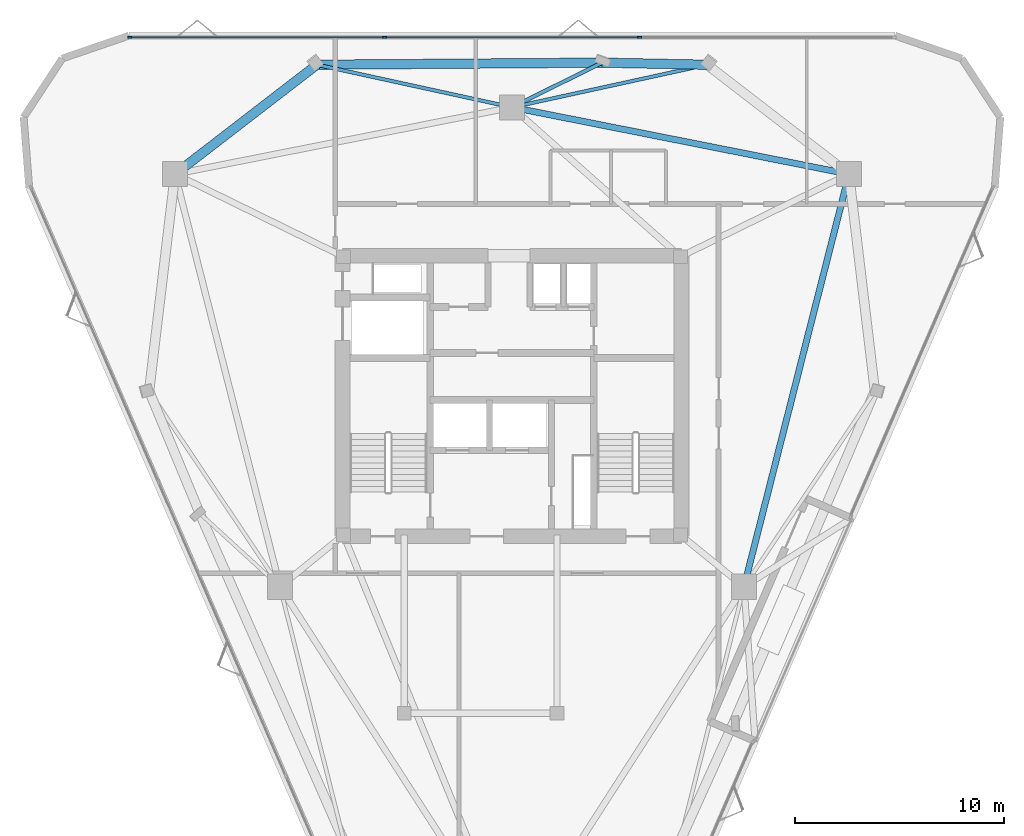
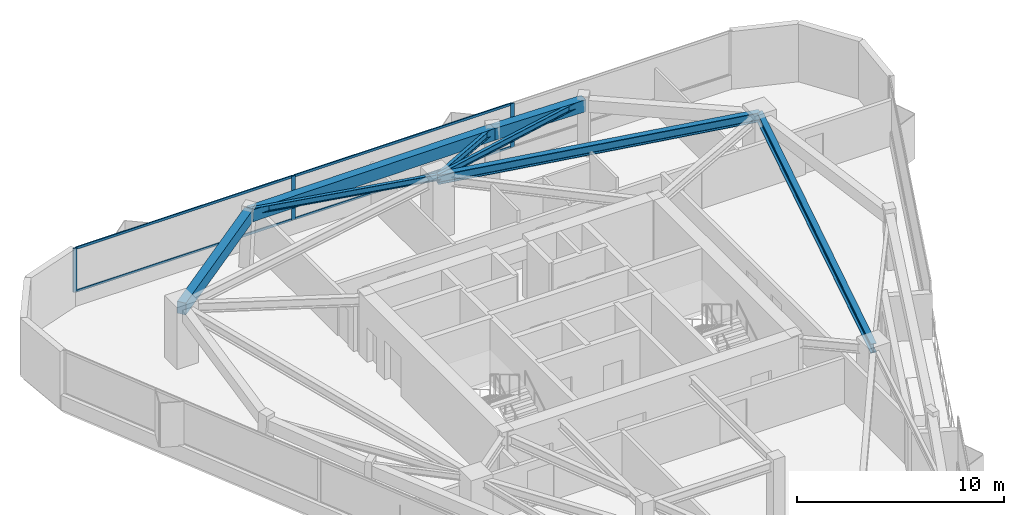
# One storey, part 5 of 10: 8 beams, 7 members, 1 element without a shape of its own.
"""IFC4 building model written with IfcOpenShell, lengths in metres."""

from ifc_helpers import new_model, si_unit, direction, frame, origin, origin_2d, place, context, subcontext, project, spatial, rectangle, i_section, extrude, material, layer, layer_set, material_profile, profile_set, type_object, element, aggregate, save


model = new_model("IFC4")

# Units and contexts
model_context = context("Model", 3, precision=1e-05, world=origin(), true_north=direction((0.0, 1.0)))
body_context = subcontext(model_context, "Body", "Model", "MODEL_VIEW")
ifc_project = project(units=[si_unit("LENGTHUNIT", "METRE"), si_unit("AREAUNIT", "SQUARE_METRE"), si_unit("VOLUMEUNIT", "CUBIC_METRE"), si_unit("PLANEANGLEUNIT", "RADIAN"), si_unit("MASSUNIT", "GRAM", prefix="KILO")], contexts=[model_context])

# Site, building, storey
site_placement = place(None, origin())
site = spatial("IfcSite", under=ifc_project, at=site_placement, CompositionType="ELEMENT")
building_placement = place(site_placement, origin())
building = spatial("IfcBuilding", under=site, at=building_placement, Name="Talyreon Biosciences Tower", CompositionType="ELEMENT")
storey_placement = place(building_placement, frame((0.0, 0.0, 253.5)))
storey = spatial("IfcBuildingStorey", under=building, at=storey_placement, Name="L67", CompositionType="ELEMENT", Elevation=253.5)

# Curtain wall, members
ifc_material_1 = material(Name="Thermally broken aluminium and low-E glazing", Category="aluminium")
ifc_layer = layer(ifc_material_1, 0.205078125)
ifc_layer_set = layer_set([ifc_layer], Name="Thermally broken aluminium and low-E glazing")
curtain_wall_type = type_object("IfcCurtainWallType", Name="CurtainWall_SkyGardenLoggia", PredefinedType="NOTDEFINED", material=ifc_layer_set)
curtain_wall_placement = place(storey_placement, origin())
curtain_wall = element("IfcCurtainWall", 1, at=curtain_wall_placement, inside=storey, type_object=curtain_wall_type, Name="L67 Unitised Curtain Wall FCW-L67-03", PredefinedType="NOTDEFINED")
ifc_material_2 = material(Name="Anodised thermally broken aluminium", Category="aluminium")
ifc_material_profile_1 = material_profile(ifc_material_2, rectangle(XDim=0.074951171875, YDim=0.2099609375, at=origin_2d()), Name="ALUM MULLION 75x210")
ifc_profile_set_1 = profile_set([ifc_material_profile_1], Name="Anodised thermally broken aluminium")
member_type_1 = type_object("IfcMemberType", Name="CWMullion_75x210", PredefinedType="MULLION", material=ifc_profile_set_1)
member_1_placement = place(storey_placement, frame((47.733642578125, 85.1376953125, 0.81005859375), z_axis=(0.0, 0.0, 1.0), x_axis=(0.0, 1.0, 0.0)))
member_1 = element("IfcMember", 2, at=member_1_placement, type_object=member_type_1, Name="CW7 mullion 1", PredefinedType="MULLION", context=body_context, shape_type="SweptSolid", body=[
    extrude(rectangle(XDim=0.074951171875, YDim=0.2099609375, at=origin_2d()), origin(), (0.0, 0.0, 1.0), 2.58984375),
])
member_2_placement = place(storey_placement, frame((59.898681640625, 85.1376953125, 0.81005859375), z_axis=(0.0, 0.0, 1.0), x_axis=(0.0, 1.0, 0.0)))
member_2 = element("IfcMember", 3, at=member_2_placement, type_object=member_type_1, Name="CW7 mullion 2", PredefinedType="MULLION", context=body_context, shape_type="SweptSolid", body=[
    extrude(rectangle(XDim=0.074951171875, YDim=0.2099609375, at=origin_2d()), origin(), (0.0, 0.0, 1.0), 2.58984375),
])
member_3_placement = place(storey_placement, frame((72.101318359375, 85.1376953125, 0.81005859375), z_axis=(0.0, 0.0, 1.0), x_axis=(0.0, 1.0, 0.0)))
member_3 = element("IfcMember", 4, at=member_3_placement, type_object=member_type_1, Name="CW7 mullion 3", PredefinedType="MULLION", context=body_context, shape_type="SweptSolid", body=[
    extrude(rectangle(XDim=0.074951171875, YDim=0.2099609375, at=origin_2d()), origin(), (0.0, 0.0, 1.0), 2.58984375),
])
ifc_material_profile_2 = material_profile(ifc_material_2, rectangle(XDim=0.06494140625, YDim=0.139892578125, at=origin_2d()), Name="ALUM TRANSOM 65x140")
ifc_profile_set_2 = profile_set([ifc_material_profile_2], Name="Anodised thermally broken aluminium")
member_type_2 = type_object("IfcMemberType", Name="CWTransom_65x140", PredefinedType="USERDEFINED", material=ifc_profile_set_2)
member_4_placement = place(storey_placement, frame((47.771240234375, 85.1376953125, 0.842529296875), z_axis=(1.0, 0.0, 0.0), x_axis=(0.0, 1.0, 0.0)))
member_4 = element("IfcMember", 5, at=member_4_placement, type_object=member_type_2, Name="CW7 transom 1.1", ObjectType="TRANSOM", PredefinedType="USERDEFINED", context=body_context, shape_type="SweptSolid", body=[
    extrude(rectangle(XDim=0.06494140625, YDim=0.139892578125, at=origin_2d()), origin(), (0.0, 0.0, 1.0), 12.090087890625),
])
member_5_placement = place(storey_placement, frame((47.771240234375, 85.1376953125, 3.367431640625), z_axis=(1.0, 0.0, 0.0), x_axis=(0.0, 1.0, 0.0)))
member_5 = element("IfcMember", 6, at=member_5_placement, type_object=member_type_2, Name="CW7 transom 1.2", ObjectType="TRANSOM", PredefinedType="USERDEFINED", context=body_context, shape_type="SweptSolid", body=[
    extrude(rectangle(XDim=0.06494140625, YDim=0.139892578125, at=origin_2d()), origin(), (0.0, 0.0, 1.0), 12.090087890625),
])
member_6_placement = place(storey_placement, frame((59.936279296875, 85.1376953125, 0.842529296875), z_axis=(1.0, 0.0, 0.0), x_axis=(0.0, 1.0, 0.0)))
member_6 = element("IfcMember", 7, at=member_6_placement, type_object=member_type_2, Name="CW7 transom 2.1", ObjectType="TRANSOM", PredefinedType="USERDEFINED", context=body_context, shape_type="SweptSolid", body=[
    extrude(rectangle(XDim=0.06494140625, YDim=0.139892578125, at=origin_2d()), origin(), (0.0, 0.0, 1.0), 12.12744140625),
])
member_7_placement = place(storey_placement, frame((59.936279296875, 85.1376953125, 3.367431640625), z_axis=(1.0, 0.0, 0.0), x_axis=(0.0, 1.0, 0.0)))
member_7 = element("IfcMember", 8, at=member_7_placement, type_object=member_type_2, Name="CW7 transom 2.2", ObjectType="TRANSOM", PredefinedType="USERDEFINED", context=body_context, shape_type="SweptSolid", body=[
    extrude(rectangle(XDim=0.06494140625, YDim=0.139892578125, at=origin_2d()), origin(), (0.0, 0.0, 1.0), 12.12744140625),
])
aggregate(curtain_wall, [member_1, member_2, member_3, member_4, member_5, member_6, member_7])

# Beams
ifc_material_3 = material(Name="Precast concrete C45/55", Category="concrete")
ifc_material_profile_3 = material_profile(ifc_material_3, rectangle(XDim=0.449951171875, YDim=0.699951171875, at=origin_2d()), Name="RCB 450x700")
ifc_profile_set_3 = profile_set([ifc_material_profile_3], Name="Precast concrete C45/55")
beam_type_1 = type_object("IfcBeamType", Name="ExpressedSpandrel_450x700", PredefinedType="SPANDREL", material=ifc_profile_set_3)
beam_1_placement = place(storey_placement, frame((75.322021484375, 83.8232421875, 3.050048828125), z_axis=(-0.99980219306, 0.019889061136, 0.0), x_axis=(-0.019889061136, -0.99980219306, 0.0)))
element("IfcBeam", 9, at=beam_1_placement, inside=storey, type_object=beam_type_1, Name="L67 Expressed Horizontal Concrete Spandrel 06", PredefinedType="SPANDREL", context=body_context, shape_type="SweptSolid", body=[
    extrude(rectangle(XDim=0.449951171875, YDim=0.699951171875, at=origin_2d()), origin(), (0.0, 0.0, 1.0), 5.0205078125),
])
beam_2_placement = place(storey_placement, frame((70.302490234375, 83.923095703125, 3.050048828125), z_axis=(-0.999973144247, -0.007328764219, 0.0), x_axis=(0.007328764219, -0.999973144247, 0.0)))
element("IfcBeam", 10, at=beam_2_placement, inside=storey, type_object=beam_type_1, Name="L67 Expressed Horizontal Concrete Spandrel 07", PredefinedType="SPANDREL", context=body_context, shape_type="SweptSolid", body=[
    extrude(rectangle(XDim=0.449951171875, YDim=0.699951171875, at=origin_2d()), origin(), (0.0, 0.0, 1.0), 13.624755859375),
])
beam_3_placement = place(storey_placement, frame((56.677978515625, 83.8232421875, 3.050048828125), z_axis=(-0.792114769067, -0.610372175501, 0.0), x_axis=(0.610372175501, -0.792114769067, 0.0)))
element("IfcBeam", 11, at=beam_3_placement, inside=storey, type_object=beam_type_1, Name="L67 Expressed Horizontal Concrete Spandrel 08", PredefinedType="SPANDREL", context=body_context, shape_type="SweptSolid", body=[
    extrude(rectangle(XDim=0.449951171875, YDim=0.699951171875, at=origin_2d()), origin(), (0.0, 0.0, 1.0), 8.559814453125),
])
ifc_material_4 = material(Name="Steel SM355", Category="steel")
ifc_material_profile_4 = material_profile(ifc_material_4, i_section(OverallWidth=0.300048828125, OverallDepth=0.550048828125, WebThickness=0.014892578125, FlangeThickness=0.029052734375, FilletRadius=0.027099609375, at=origin_2d()), Name="HE550B")
ifc_profile_set_4 = profile_set([ifc_material_profile_4], Name="Steel SM355")
beam_type_2 = type_object("IfcBeamType", Name="SteelBeam_HE550B", PredefinedType="BEAM", material=ifc_profile_set_4)
beam_4_placement = place(storey_placement, frame((77.086181640625, 58.88037109375, 3.125), z_axis=(0.246537082299, 0.969133358755, 0.0), x_axis=(-0.969133358755, 0.246537082299, 0.0)))
element("IfcBeam", 12, at=beam_4_placement, inside=storey, type_object=beam_type_2, Name="L67 Mega-Ring Girder 2", PredefinedType="BEAM", context=body_context, shape_type="SweptSolid", body=[
    extrude(i_section(OverallWidth=0.300048828125, OverallDepth=0.550048828125, WebThickness=0.014892578125, FlangeThickness=0.029052734375, FilletRadius=0.027099609375, at=origin_2d()), origin(), (0.0, 0.0, 1.0), 20.34619140625),
])
beam_5_placement = place(storey_placement, frame((82.102294921875, 78.5986328125, 3.125), z_axis=(-0.980933730698, 0.194342522311, 0.0), x_axis=(-0.194342522311, -0.980933730698, 0.0)))
element("IfcBeam", 13, at=beam_5_placement, inside=storey, type_object=beam_type_2, Name="L67 Mega-Ring Girder 3", PredefinedType="BEAM", context=body_context, shape_type="SweptSolid", body=[
    extrude(i_section(OverallWidth=0.300048828125, OverallDepth=0.550048828125, WebThickness=0.014892578125, FlangeThickness=0.029052734375, FilletRadius=0.027099609375, at=origin_2d()), origin(), (0.0, 0.0, 1.0), 16.415283203125),
])
ifc_material_profile_5 = material_profile(ifc_material_4, i_section(OverallWidth=0.169921875, OverallDepth=0.360107421875, WebThickness=0.008056640625, FlangeThickness=0.0126953125, FilletRadius=0.01806640625, at=origin_2d()), Name="IPE360")
ifc_profile_set_5 = profile_set([ifc_material_profile_5], Name="Steel SM355")
beam_type_3 = type_object("IfcBeamType", Name="SteelJoist_IPE360", PredefinedType="JOIST", material=ifc_profile_set_5)
for number, where, z_axis, x_axis, name in (
    (14, (66.0, 81.788818359375, 3.219970703125), (0.9770042299, 0.21321992111, 0.0), (-0.21321992111, 0.9770042299, 0.0), "L67 Radial Composite Floor Joist PC-N1"),
    (15, (66.0, 81.788818359375, 3.219970703125), (-0.9770042299, 0.21321992111, 0.0), (-0.21321992111, -0.9770042299, 0.0), "L67 Radial Composite Floor Joist PC-N2"),
):
    element("IfcBeam", number, at=place(storey_placement, frame(where, z_axis=z_axis, x_axis=x_axis)), inside=storey, type_object=beam_type_3, Name=name, PredefinedType="JOIST", context=body_context, shape_type="SweptSolid", body=[
        extrude(i_section(OverallWidth=0.169921875, OverallDepth=0.360107421875, WebThickness=0.008056640625, FlangeThickness=0.0126953125, FilletRadius=0.01806640625, at=origin_2d()), origin(), (0.0, 0.0, 1.0), 9.54150390625),
    ])
ifc_material_profile_6 = material_profile(ifc_material_4, i_section(OverallWidth=0.179931640625, OverallDepth=0.39990234375, WebThickness=0.008544921875, FlangeThickness=0.013427734375, FilletRadius=0.02099609375, at=origin_2d()), Name="IPE400")
ifc_profile_set_6 = profile_set([ifc_material_profile_6], Name="Steel SM355")
beam_type_4 = type_object("IfcBeamType", Name="SteelJoist_IPE400", PredefinedType="JOIST", material=ifc_profile_set_6)
beam_6_placement = place(storey_placement, frame((66.0, 81.788818359375, 3.199951171875), z_axis=(0.895835892231, 0.444385029216, 0.0), x_axis=(-0.444385029216, 0.895835892231, 0.0)))
element("IfcBeam", 16, at=beam_6_placement, inside=storey, type_object=beam_type_4, Name="L67 Radial Composite Floor Joist PL-N", PredefinedType="JOIST", context=body_context, shape_type="SweptSolid", body=[
    extrude(i_section(OverallWidth=0.179931640625, OverallDepth=0.39990234375, WebThickness=0.008544921875, FlangeThickness=0.013427734375, FilletRadius=0.02099609375, at=origin_2d()), origin(), (0.0, 0.0, 1.0), 4.802734375),
])

save(model, "model.ifc")
